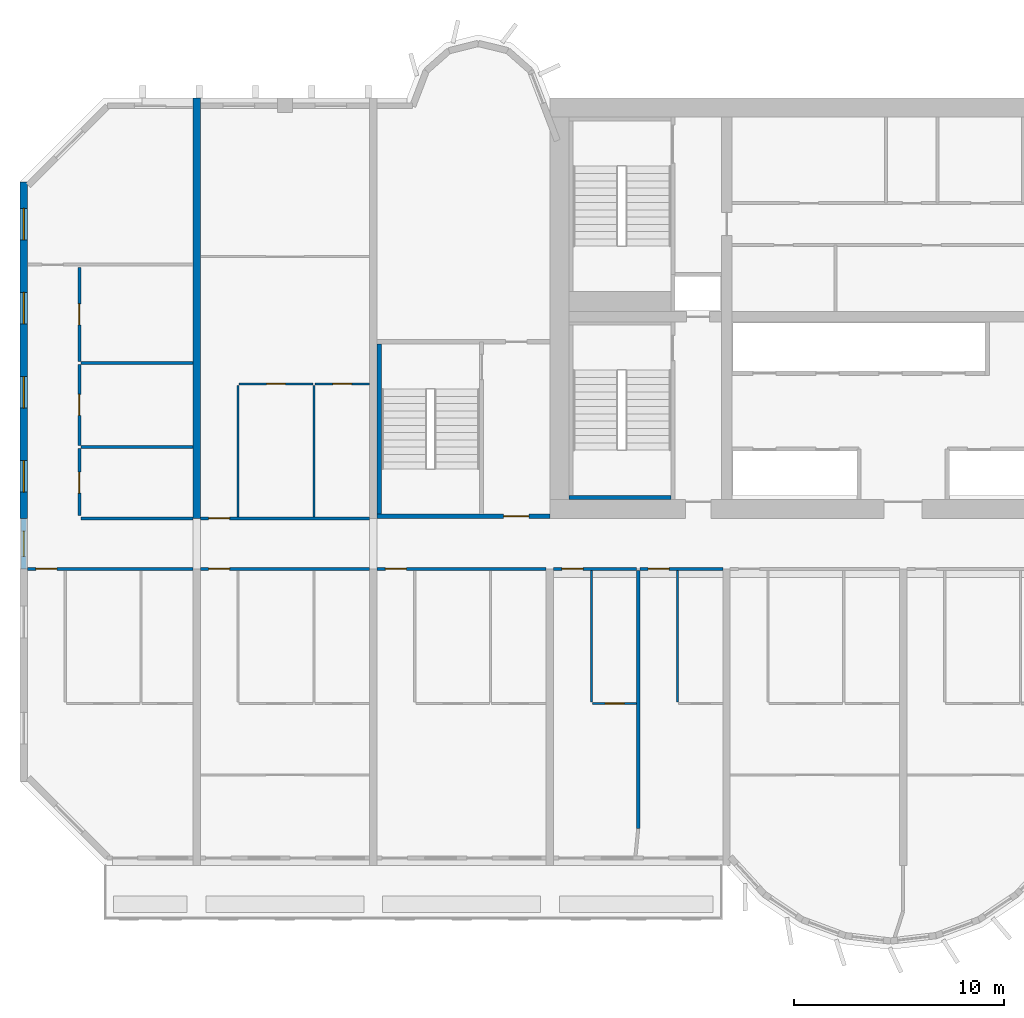
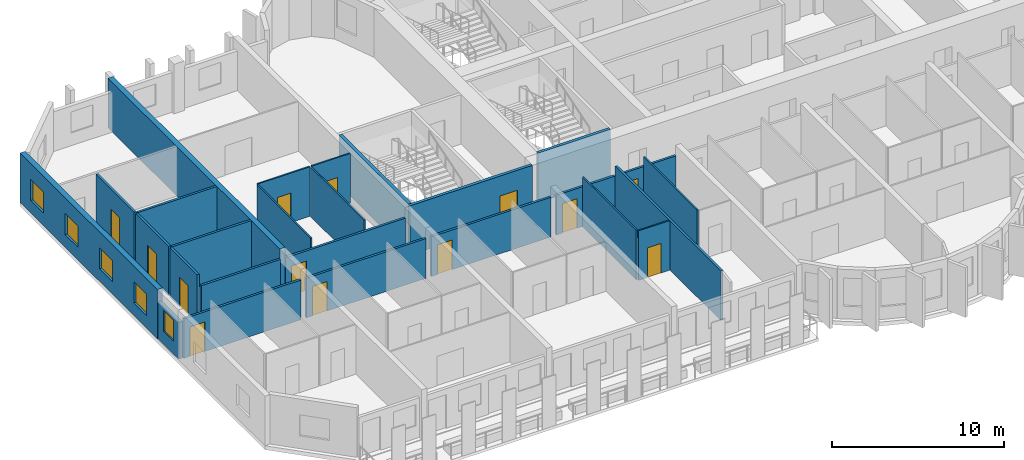
# One storey, part 3 of 15: 26 walls, 13 doors, 5 windows, 18 openings.
"""IFC4 building model written with IfcOpenShell, lengths in metres."""

from ifc_helpers import new_model, si_unit, direction, frame, frame_2d, origin, place, context, subcontext, project, spatial, rectangle, extrude, source, transform, mapped, material, layer, layer_set, type_object, element, fill, save


model = new_model("IFC4")

# Units and contexts
model_context = context("Model", 3, precision=1e-05, world=origin(), true_north=direction((0.0, 1.0)))
body_context = subcontext(model_context, "Body", "Model", "MODEL_VIEW")
ifc_project = project(units=[si_unit("LENGTHUNIT", "METRE"), si_unit("AREAUNIT", "SQUARE_METRE"), si_unit("VOLUMEUNIT", "CUBIC_METRE"), si_unit("PLANEANGLEUNIT", "RADIAN"), si_unit("MASSUNIT", "GRAM", prefix="KILO")], contexts=[model_context])

# Site, building, storey
site_placement = place(None, origin())
site = spatial("IfcSite", under=ifc_project, at=site_placement, CompositionType="ELEMENT")
building_placement = place(site_placement, origin())
building = spatial("IfcBuilding", under=site, at=building_placement, Name="Vanashikhar Sky Hotel", CompositionType="ELEMENT")
storey_placement = place(building_placement, frame((0.0, 0.0, 133.199951171875)))
storey = spatial("IfcBuildingStorey", under=building, at=storey_placement, Name="L32", CompositionType="ELEMENT", Elevation=133.199951171875)

# Wall, openings, windows
ifc_material_1 = material(Name="Concrete M70", Category="concrete")
ifc_layer_1 = layer(ifc_material_1, 0.35009765625)
ifc_layer_set_1 = layer_set([ifc_layer_1], Name="RC shear wall 350 Concrete M70")
wall_type_1 = type_object("IfcWallType", Name="RC shear wall 350 Concrete M70", PredefinedType="SHEAR", material=ifc_layer_set_1)
shared_shape_1 = source(origin(), body_context, "Body", "SweptSolid", [
    extrude(rectangle(XDim=16.0, YDim=0.35009765625, at=frame_2d((8.0, 0.0))), origin(), (0.0, 0.0, 1.0), 3.52001953125),
])
wall_1_placement = place(storey_placement, frame((0.175048828125, 22.0, 0.0), z_axis=(0.0, 0.0, 1.0), x_axis=(0.0, 1.0, 0.0)))
wall_1 = element("IfcWall", 1, at=wall_1_placement, inside=storey, type_object=wall_type_1, Name="CW-L32-XW01-2", PredefinedType="SHEAR", context=body_context, shape_type="MappedRepresentation", body=[
    mapped(shared_shape_1, transform((0.0, 0.0, 0.0), scale=1.0)),
])
shared_shape_2 = source(origin(), body_context, "Body", "SweptSolid", [
    extrude(rectangle(XDim=1.5, YDim=1.5, at=frame_2d((0.75, 0.75))), frame((0.0, 0.18505859375, 0.0), z_axis=(0.0, -1.0, 0.0), x_axis=(1.0, 0.0, 0.0)), (0.0, 0.0, 1.0), 0.3701171875),
])
opening_1_placement = place(wall_1_placement, frame((1.25, 0.0, 0.89990234375)))
opening_1 = element("IfcOpeningElement", 2, at=opening_1_placement, cuts=wall_1, Name="Opening WN-1", PredefinedType="OPENING", context=body_context, shape_type="MappedRepresentation", body=[
    mapped(shared_shape_2, transform((0.0, 0.0, 0.0), scale=1.0)),
])
opening_2_placement = place(wall_1_placement, frame((5.25, 0.0, 0.89990234375)))
opening_2 = element("IfcOpeningElement", 3, at=opening_2_placement, cuts=wall_1, Name="Opening WN-1", PredefinedType="OPENING", context=body_context, shape_type="MappedRepresentation", body=[
    mapped(shared_shape_2, transform((0.0, 0.0, 0.0), scale=1.0)),
])
opening_3_placement = place(wall_1_placement, frame((9.25, 0.0, 0.89990234375)))
opening_3 = element("IfcOpeningElement", 4, at=opening_3_placement, cuts=wall_1, Name="Opening WN-1", PredefinedType="OPENING", context=body_context, shape_type="MappedRepresentation", body=[
    mapped(shared_shape_2, transform((0.0, 0.0, 0.0), scale=1.0)),
])
opening_4_placement = place(wall_1_placement, frame((13.25, 0.0, 0.89990234375)))
opening_4 = element("IfcOpeningElement", 5, at=opening_4_placement, cuts=wall_1, Name="Opening WN-1", PredefinedType="OPENING", context=body_context, shape_type="MappedRepresentation", body=[
    mapped(shared_shape_2, transform((0.0, 0.0, 0.0), scale=1.0)),
])
ifc_material_2 = material(Name="Glass", Category="glass")
window_type_1 = type_object("IfcWindowType", Name="Window 1500 x 1500", PartitioningType="SINGLE_PANEL", PredefinedType="WINDOW", material=ifc_material_2)
shared_shape_3 = source(origin(), body_context, "Body", "SweptSolid", [
    extrude(rectangle(XDim=1.5, YDim=1.5, at=frame_2d((0.75, 0.75))), frame((0.0, 0.030029296875, 0.0), z_axis=(0.0, -1.0, 0.0), x_axis=(1.0, 0.0, 0.0)), (0.0, 0.0, 1.0), 0.06005859375),
])
window_1_placement = place(opening_1_placement, origin())
window_1 = element("IfcWindow", 6, at=window_1_placement, inside=storey, type_object=window_type_1, Name="Window WN-1", OverallHeight=1.5, OverallWidth=1.5, PartitioningType="SINGLE_PANEL", PredefinedType="WINDOW", context=body_context, shape_type="MappedRepresentation", body=[
    mapped(shared_shape_3, transform((0.0, 0.0, 0.0), scale=1.0)),
])
fill(opening_1, window_1)
window_2_placement = place(opening_2_placement, origin())
window_2 = element("IfcWindow", 7, at=window_2_placement, inside=storey, type_object=window_type_1, Name="Window WN-1", OverallHeight=1.5, OverallWidth=1.5, PartitioningType="SINGLE_PANEL", PredefinedType="WINDOW", context=body_context, shape_type="MappedRepresentation", body=[
    mapped(shared_shape_3, transform((0.0, 0.0, 0.0), scale=1.0)),
])
fill(opening_2, window_2)
window_3_placement = place(opening_3_placement, origin())
window_3 = element("IfcWindow", 8, at=window_3_placement, inside=storey, type_object=window_type_1, Name="Window WN-1", OverallHeight=1.5, OverallWidth=1.5, PartitioningType="SINGLE_PANEL", PredefinedType="WINDOW", context=body_context, shape_type="MappedRepresentation", body=[
    mapped(shared_shape_3, transform((0.0, 0.0, 0.0), scale=1.0)),
])
fill(opening_3, window_3)
window_4_placement = place(opening_4_placement, origin())
window_4 = element("IfcWindow", 9, at=window_4_placement, inside=storey, type_object=window_type_1, Name="Window WN-1", OverallHeight=1.5, OverallWidth=1.5, PartitioningType="SINGLE_PANEL", PredefinedType="WINDOW", context=body_context, shape_type="MappedRepresentation", body=[
    mapped(shared_shape_3, transform((0.0, 0.0, 0.0), scale=1.0)),
])
fill(opening_4, window_4)

# Wall
shared_shape_4 = source(origin(), body_context, "Body", "SweptSolid", [
    extrude(rectangle(XDim=20.0, YDim=0.35009765625, at=frame_2d((10.0, 0.0))), origin(), (0.0, 0.0, 1.0), 3.52001953125),
])
wall_2_placement = place(storey_placement, frame((8.39990234375, 22.0, 0.0), z_axis=(0.0, 0.0, 1.0), x_axis=(0.0, 1.0, 0.0)))
element("IfcWall", 10, at=wall_2_placement, inside=storey, type_object=wall_type_1, Name="CW-L32-XW02-2", PredefinedType="SHEAR", context=body_context, shape_type="MappedRepresentation", body=[
    mapped(shared_shape_4, transform((0.0, 0.0, 0.0), scale=1.0)),
])

# Wall, opening, window
ifc_material_3 = material(Name="Concrete M50", Category="concrete")
ifc_layer_2 = layer(ifc_material_3, 0.25)
ifc_layer_set_2 = layer_set([ifc_layer_2], Name="Rear and end board-marked wall 250")
wall_type_2 = type_object("IfcWallType", Name="Rear and end board-marked wall 250", PredefinedType="SOLIDWALL", material=ifc_layer_set_2)
shared_shape_5 = source(origin(), body_context, "Body", "SweptSolid", [
    extrude(rectangle(XDim=2.39990234375, YDim=0.25, at=frame_2d((1.199951171875, 0.0))), origin(), (0.0, 0.0, 1.0), 2.6201171875),
])
wall_3_placement = place(storey_placement, frame((0.175048828125, 19.60009765625, 0.0), z_axis=(0.0, 0.0, 1.0), x_axis=(0.0, 1.0, 0.0)))
wall_3 = element("IfcWall", 11, at=wall_3_placement, inside=storey, type_object=wall_type_2, Name="End corridor infill wall", PredefinedType="SOLIDWALL", context=body_context, shape_type="MappedRepresentation", body=[
    mapped(shared_shape_5, transform((0.0, 0.0, 0.0), scale=1.0)),
])
shared_shape_6 = source(origin(), body_context, "Body", "SweptSolid", [
    extrude(rectangle(XDim=1.199951171875, YDim=1.5, at=frame_2d((0.60009765625, 0.75))), frame((0.0, 0.135009765625, 0.0), z_axis=(0.0, -1.0, 0.0), x_axis=(1.0, 0.0, 0.0)), (0.0, 0.0, 1.0), 0.27001953125),
])
opening_5_placement = place(wall_3_placement, frame((0.60009765625, 0.0, 0.89990234375)))
opening_5 = element("IfcOpeningElement", 12, at=opening_5_placement, cuts=wall_3, Name="Opening WN-3", PredefinedType="OPENING", context=body_context, shape_type="MappedRepresentation", body=[
    mapped(shared_shape_6, transform((0.0, 0.0, 0.0), scale=1.0)),
])
window_type_2 = type_object("IfcWindowType", Name="Corridor end window 1200 x 1500", PartitioningType="SINGLE_PANEL", PredefinedType="WINDOW", material=ifc_material_2)
shared_shape_7 = source(origin(), body_context, "Body", "SweptSolid", [
    extrude(rectangle(XDim=1.199951171875, YDim=1.5, at=frame_2d((0.60009765625, 0.75))), frame((0.0, 0.030029296875, 0.0), z_axis=(0.0, -1.0, 0.0), x_axis=(1.0, 0.0, 0.0)), (0.0, 0.0, 1.0), 0.06005859375),
])
window_5_placement = place(opening_5_placement, origin())
window_5 = element("IfcWindow", 13, at=window_5_placement, inside=storey, type_object=window_type_2, Name="Window WN-3", OverallHeight=1.5, OverallWidth=1.199951171875, PartitioningType="SINGLE_PANEL", PredefinedType="WINDOW", context=body_context, shape_type="MappedRepresentation", body=[
    mapped(shared_shape_7, transform((0.0, 0.0, 0.0), scale=1.0)),
])
fill(opening_5, window_5)

# Wall, opening, door
ifc_layer_3 = layer(ifc_material_3, 0.199951171875)
ifc_layer_set_3 = layer_set([ifc_layer_3], Name="Stair wall 200")
wall_type_3 = type_object("IfcWallType", Name="Stair wall 200", PredefinedType="SOLIDWALL", material=ifc_layer_set_3)
shared_shape_8 = source(origin(), body_context, "Body", "SweptSolid", [
    extrude(rectangle(XDim=8.224853515625, YDim=0.199951171875, at=frame_2d((4.1123046875, 0.0))), origin(), (0.0, 0.0, 1.0), 3.52001953125),
])
wall_4_placement = place(storey_placement, frame((16.97509765625, 22.10009765625, 0.0), z_axis=(0.0, 0.0, 1.0), x_axis=(1.0, 0.0, 0.0)))
wall_4 = element("IfcWall", 14, at=wall_4_placement, inside=storey, type_object=wall_type_3, Name="Stair wall 200", PredefinedType="SOLIDWALL", context=body_context, shape_type="MappedRepresentation", body=[
    mapped(shared_shape_8, transform((0.0, 0.0, 0.0), scale=1.0)),
])
shared_shape_9 = source(origin(), body_context, "Body", "SweptSolid", [
    extrude(rectangle(XDim=1.199951171875, YDim=2.10009765625, at=frame_2d((0.60009765625, 1.050048828125))), frame((0.0, 0.10986328125, 0.0), z_axis=(0.0, -1.0, 0.0), x_axis=(1.0, 0.0, 0.0)), (0.0, 0.0, 1.0), 0.219970703125),
])
opening_6_placement = place(wall_4_placement, frame((6.02490234375, 0.0, 0.0)))
opening_6 = element("IfcOpeningElement", 15, at=opening_6_placement, cuts=wall_4, Name="Opening DC-2", PredefinedType="OPENING", context=body_context, shape_type="MappedRepresentation", body=[
    mapped(shared_shape_9, transform((0.0, 0.0, 0.0), scale=1.0)),
])
ifc_material_4 = material(Name="Steel", Category="steel")
door_type_1 = type_object("IfcDoorType", Name="Firefighting lobby door 1200 FD120", OperationType="NOTDEFINED", PredefinedType="DOOR", material=ifc_material_4)
shared_shape_10 = source(origin(), body_context, "Body", "SweptSolid", [
    extrude(rectangle(XDim=1.199951171875, YDim=2.10009765625, at=frame_2d((0.60009765625, 1.050048828125))), frame((0.0, 0.02490234375, 0.0), z_axis=(0.0, -1.0, 0.0), x_axis=(1.0, 0.0, 0.0)), (0.0, 0.0, 1.0), 0.050048828125),
])
door_1_placement = place(opening_6_placement, origin())
door_1 = element("IfcDoor", 16, at=door_1_placement, inside=storey, type_object=door_type_1, Name="Firefighting lobby door 1200 FD120", OperationType="SINGLE_SWING_LEFT", OverallHeight=2.10009765625, OverallWidth=1.199951171875, PredefinedType="DOOR", context=body_context, shape_type="MappedRepresentation", body=[
    mapped(shared_shape_10, transform((0.0, 0.0, 0.0), scale=1.0)),
])
fill(opening_6, door_1)

# Walls
ifc_layer_4 = layer(ifc_material_3, 0.199951171875)
ifc_layer_set_4 = layer_set([ifc_layer_4], Name="Stair infill wall 200")
wall_type_4 = type_object("IfcWallType", Name="Stair infill wall 200", PredefinedType="SOLIDWALL", material=ifc_layer_set_4)
shared_shape_11 = source(origin(), body_context, "Body", "SweptSolid", [
    extrude(rectangle(XDim=4.849853515625, YDim=0.199951171875, at=frame_2d((2.4248046875, 0.0))), origin(), (0.0, 0.0, 1.0), 3.52001953125),
])
wall_5_placement = place(storey_placement, frame((26.10009765625, 23.0, 0.0), z_axis=(0.0, 0.0, 1.0), x_axis=(1.0, 0.0, 0.0)))
element("IfcWall", 17, at=wall_5_placement, inside=storey, type_object=wall_type_4, Name="Stair infill wall 200", PredefinedType="SOLIDWALL", context=body_context, shape_type="MappedRepresentation", body=[
    mapped(shared_shape_11, transform((0.0, 0.0, 0.0), scale=1.0)),
])
ifc_layer_5 = layer(ifc_material_3, 0.22509765625)
ifc_layer_set_5 = layer_set([ifc_layer_5], Name="Stair infill wall 225")
wall_type_5 = type_object("IfcWallType", Name="Stair infill wall 225", PredefinedType="SOLIDWALL", material=ifc_layer_set_5)
shared_shape_12 = source(origin(), body_context, "Body", "SweptSolid", [
    extrude(rectangle(XDim=8.10009765625, YDim=0.22509765625, at=frame_2d((4.050048828125, 0.0))), origin(), (0.0, 0.0, 1.0), 3.52001953125),
])
wall_6_placement = place(storey_placement, frame((17.0869140625, 22.199951171875, 0.0), z_axis=(0.0, 0.0, 1.0), x_axis=(0.0, 1.0, 0.0)))
element("IfcWall", 18, at=wall_6_placement, inside=storey, type_object=wall_type_5, Name="Stair infill wall 225", PredefinedType="SOLIDWALL", context=body_context, shape_type="MappedRepresentation", body=[
    mapped(shared_shape_12, transform((0.0, 0.0, 0.0), scale=1.0)),
])

# Wall, opening, door
ifc_material_5 = material(Name="Gypsum plasterboard partition")
ifc_layer_6 = layer(ifc_material_5, 0.10009765625)
ifc_layer_set_6 = layer_set([ifc_layer_6], Name="Wet room partition 100")
wall_type_6 = type_object("IfcWallType", Name="Wet room partition 100", PredefinedType="PARTITIONING", material=ifc_layer_set_6)
shared_shape_13 = source(origin(), body_context, "Body", "SweptSolid", [
    extrude(rectangle(XDim=3.5, YDim=0.10009765625, at=frame_2d((1.75, 0.0))), origin(), (0.0, 0.0, 1.0), 3.52001953125),
])
wall_7_placement = place(storey_placement, frame((10.425048828125, 28.39990234375, 0.0), z_axis=(0.0, 0.0, 1.0), x_axis=(1.0, 0.0, 0.0)))
wall_7 = element("IfcWall", 19, at=wall_7_placement, inside=storey, type_object=wall_type_6, Name="W-L32-PW081", PredefinedType="PARTITIONING", context=body_context, shape_type="MappedRepresentation", body=[
    mapped(shared_shape_13, transform((0.0, 0.0, 0.0), scale=1.0)),
])
shared_shape_14 = source(origin(), body_context, "Body", "SweptSolid", [
    extrude(rectangle(XDim=0.89990234375, YDim=2.10009765625, at=frame_2d((0.449951171875, 1.050048828125))), frame((0.0, 0.06005859375, 0.0), z_axis=(0.0, -1.0, 0.0), x_axis=(1.0, 0.0, 0.0)), (0.0, 0.0, 1.0), 0.1201171875),
])
opening_7_placement = place(wall_7_placement, frame((1.300048828125, 0.0, 0.0)))
opening_7 = element("IfcOpeningElement", 20, at=opening_7_placement, cuts=wall_7, Name="Opening D-02", PredefinedType="OPENING", context=body_context, shape_type="MappedRepresentation", body=[
    mapped(shared_shape_14, transform((0.0, 0.0, 0.0), scale=1.0)),
])
ifc_material_6 = material(Name="Timber door", Category="wood")
door_type_2 = type_object("IfcDoorType", Name="Internal door 900", OperationType="NOTDEFINED", PredefinedType="DOOR", material=ifc_material_6)
shared_shape_15 = source(origin(), body_context, "Body", "SweptSolid", [
    extrude(rectangle(XDim=0.89990234375, YDim=2.10009765625, at=frame_2d((0.449951171875, 1.050048828125))), frame((0.0, 0.02490234375, 0.0), z_axis=(0.0, -1.0, 0.0), x_axis=(1.0, 0.0, 0.0)), (0.0, 0.0, 1.0), 0.050048828125),
])
door_2_placement = place(opening_7_placement, origin())
door_2 = element("IfcDoor", 21, at=door_2_placement, inside=storey, type_object=door_type_2, Name="D-L32-049", OperationType="SINGLE_SWING_LEFT", OverallHeight=2.10009765625, OverallWidth=0.89990234375, PredefinedType="DOOR", context=body_context, shape_type="MappedRepresentation", body=[
    mapped(shared_shape_15, transform((0.0, 0.0, 0.0), scale=1.0)),
])
fill(opening_7, door_2)

# Walls
shared_shape_16 = source(origin(), body_context, "Body", "SweptSolid", [
    extrude(rectangle(XDim=6.25, YDim=0.10009765625, at=frame_2d((3.125, 0.0))), origin(), (0.0, 0.0, 1.0), 3.52001953125),
])
for number, where, z_axis, x_axis, name in (
    (22, (27.175048828125, 13.27490234375, 0.0), (0.0, 0.0, 1.0), (0.0, 1.0, 0.0), "W-L32-PW017"),
    (23, (31.27490234375, 13.27490234375, 0.0), (0.0, 0.0, 1.0), (0.0, 1.0, 0.0), "W-L32-PW020"),
    (24, (10.375, 22.074951171875, 0.0), (0.0, 0.0, 1.0), (0.0, 1.0, 0.0), "W-L32-PW079"),
    (25, (13.97509765625, 22.074951171875, 0.0), (0.0, 0.0, 1.0), (0.0, 1.0, 0.0), "W-L32-PW080"),
):
    element("IfcWall", number, at=place(storey_placement, frame(where, z_axis=z_axis, x_axis=x_axis)), inside=storey, type_object=wall_type_6, Name=name, PredefinedType="PARTITIONING", context=body_context, shape_type="MappedRepresentation", body=[
        mapped(shared_shape_16, transform((0.0, 0.0, 0.0), scale=1.0)),
    ])

# Wall, opening, door
ifc_layer_7 = layer(ifc_material_5, 0.14990234375)
ifc_layer_set_7 = layer_set([ifc_layer_7], Name="Corridor and demising partition 150")
wall_type_7 = type_object("IfcWallType", Name="Corridor and demising partition 150", PredefinedType="PARTITIONING", material=ifc_layer_set_7)
shared_shape_17 = source(origin(), body_context, "Body", "SweptSolid", [
    extrude(rectangle(XDim=3.175048828125, YDim=0.14990234375, at=frame_2d((1.58740234375, 0.0))), origin(), (0.0, 0.0, 1.0), 3.52001953125),
])
wall_8_placement = place(storey_placement, frame((2.824951171875, 22.14990234375, 0.0), z_axis=(0.0, 0.0, 1.0), x_axis=(0.0, 1.0, 0.0)))
wall_8 = element("IfcWall", 26, at=wall_8_placement, inside=storey, type_object=wall_type_7, Name="W-L32-PW073", PredefinedType="PARTITIONING", context=body_context, shape_type="MappedRepresentation", body=[
    mapped(shared_shape_17, transform((0.0, 0.0, 0.0), scale=1.0)),
])
shared_shape_18 = source(origin(), body_context, "Body", "SweptSolid", [
    extrude(rectangle(XDim=1.0, YDim=2.10009765625, at=frame_2d((0.5, 1.050048828125))), frame((0.0, 0.0849609375, 0.0), z_axis=(0.0, -1.0, 0.0), x_axis=(1.0, 0.0, 0.0)), (0.0, 0.0, 1.0), 0.169921875),
])
opening_8_placement = place(wall_8_placement, frame((1.050048828125, 0.0, 0.0)))
opening_8 = element("IfcOpeningElement", 27, at=opening_8_placement, cuts=wall_8, Name="Opening D-01", PredefinedType="OPENING", context=body_context, shape_type="MappedRepresentation", body=[
    mapped(shared_shape_18, transform((0.0, 0.0, 0.0), scale=1.0)),
])
ifc_material_7 = material(Name="Timber fire door", Category="wood")
door_type_3 = type_object("IfcDoorType", Name="Guest entry door 1000 FD30S", OperationType="NOTDEFINED", PredefinedType="DOOR", material=ifc_material_7)
shared_shape_19 = source(origin(), body_context, "Body", "SweptSolid", [
    extrude(rectangle(XDim=1.0, YDim=2.10009765625, at=frame_2d((0.5, 1.050048828125))), frame((0.0, 0.02490234375, 0.0), z_axis=(0.0, -1.0, 0.0), x_axis=(1.0, 0.0, 0.0)), (0.0, 0.0, 1.0), 0.050048828125),
])
door_3_placement = place(opening_8_placement, origin())
door_3 = element("IfcDoor", 28, at=door_3_placement, inside=storey, type_object=door_type_3, Name="D-L32-045", OperationType="SINGLE_SWING_LEFT", OverallHeight=2.10009765625, OverallWidth=1.0, PredefinedType="DOOR", context=body_context, shape_type="MappedRepresentation", body=[
    mapped(shared_shape_19, transform((0.0, 0.0, 0.0), scale=1.0)),
])
fill(opening_8, door_3)

shared_shape_20 = source(origin(), body_context, "Body", "SweptSolid", [
    extrude(rectangle(XDim=3.849853515625, YDim=0.14990234375, at=frame_2d((1.9248046875, 0.0))), origin(), (0.0, 0.0, 1.0), 3.52001953125),
])
wall_9_placement = place(storey_placement, frame((2.824951171875, 25.47509765625, 0.0), z_axis=(0.0, 0.0, 1.0), x_axis=(0.0, 1.0, 0.0)))
wall_9 = element("IfcWall", 29, at=wall_9_placement, inside=storey, type_object=wall_type_7, Name="W-L32-PW075", PredefinedType="PARTITIONING", context=body_context, shape_type="MappedRepresentation", body=[
    mapped(shared_shape_20, transform((0.0, 0.0, 0.0), scale=1.0)),
])
opening_9_placement = place(wall_9_placement, frame((1.425048828125, 0.0, 0.0)))
opening_9 = element("IfcOpeningElement", 30, at=opening_9_placement, cuts=wall_9, Name="Opening D-01", PredefinedType="OPENING", context=body_context, shape_type="MappedRepresentation", body=[
    mapped(shared_shape_18, transform((0.0, 0.0, 0.0), scale=1.0)),
])
door_4_placement = place(opening_9_placement, origin())
door_4 = element("IfcDoor", 31, at=door_4_placement, inside=storey, type_object=door_type_3, Name="D-L32-046", OperationType="SINGLE_SWING_LEFT", OverallHeight=2.10009765625, OverallWidth=1.0, PredefinedType="DOOR", context=body_context, shape_type="MappedRepresentation", body=[
    mapped(shared_shape_19, transform((0.0, 0.0, 0.0), scale=1.0)),
])
fill(opening_9, door_4)

shared_shape_21 = source(origin(), body_context, "Body", "SweptSolid", [
    extrude(rectangle(XDim=4.449951171875, YDim=0.14990234375, at=frame_2d((2.22509765625, 0.0))), origin(), (0.0, 0.0, 1.0), 3.52001953125),
])
wall_10_placement = place(storey_placement, frame((2.824951171875, 29.47509765625, 0.0), z_axis=(0.0, 0.0, 1.0), x_axis=(0.0, 1.0, 0.0)))
wall_10 = element("IfcWall", 32, at=wall_10_placement, inside=storey, type_object=wall_type_7, Name="W-L32-PW077", PredefinedType="PARTITIONING", context=body_context, shape_type="MappedRepresentation", body=[
    mapped(shared_shape_21, transform((0.0, 0.0, 0.0), scale=1.0)),
])
opening_10_placement = place(wall_10_placement, frame((1.72509765625, 0.0, 0.0)))
opening_10 = element("IfcOpeningElement", 33, at=opening_10_placement, cuts=wall_10, Name="Opening D-01", PredefinedType="OPENING", context=body_context, shape_type="MappedRepresentation", body=[
    mapped(shared_shape_18, transform((0.0, 0.0, 0.0), scale=1.0)),
])
door_5_placement = place(opening_10_placement, origin())
door_5 = element("IfcDoor", 34, at=door_5_placement, inside=storey, type_object=door_type_3, Name="D-L32-047", OperationType="SINGLE_SWING_LEFT", OverallHeight=2.10009765625, OverallWidth=1.0, PredefinedType="DOOR", context=body_context, shape_type="MappedRepresentation", body=[
    mapped(shared_shape_19, transform((0.0, 0.0, 0.0), scale=1.0)),
])
fill(opening_10, door_5)

shared_shape_22 = source(origin(), body_context, "Body", "SweptSolid", [
    extrude(rectangle(XDim=2.60009765625, YDim=0.10009765625, at=frame_2d((1.300048828125, 0.0))), origin(), (0.0, 0.0, 1.0), 3.52001953125),
])
wall_11_placement = place(storey_placement, frame((14.02490234375, 28.39990234375, 0.0), z_axis=(0.0, 0.0, 1.0), x_axis=(1.0, 0.0, 0.0)))
wall_11 = element("IfcWall", 35, at=wall_11_placement, inside=storey, type_object=wall_type_6, Name="W-L32-PW082", PredefinedType="PARTITIONING", context=body_context, shape_type="MappedRepresentation", body=[
    mapped(shared_shape_22, transform((0.0, 0.0, 0.0), scale=1.0)),
])
opening_11_placement = place(wall_11_placement, frame((0.85009765625, 0.0, 0.0)))
opening_11 = element("IfcOpeningElement", 36, at=opening_11_placement, cuts=wall_11, Name="Opening D-02", PredefinedType="OPENING", context=body_context, shape_type="MappedRepresentation", body=[
    mapped(shared_shape_14, transform((0.0, 0.0, 0.0), scale=1.0)),
])
door_6_placement = place(opening_11_placement, origin())
door_6 = element("IfcDoor", 37, at=door_6_placement, inside=storey, type_object=door_type_2, Name="D-L32-050", OperationType="SINGLE_SWING_LEFT", OverallHeight=2.10009765625, OverallWidth=0.89990234375, PredefinedType="DOOR", context=body_context, shape_type="MappedRepresentation", body=[
    mapped(shared_shape_15, transform((0.0, 0.0, 0.0), scale=1.0)),
])
fill(opening_11, door_6)

shared_shape_23 = source(origin(), body_context, "Body", "SweptSolid", [
    extrude(rectangle(XDim=8.050048828125, YDim=0.14990234375, at=frame_2d((4.02490234375, 0.0))), origin(), (0.0, 0.0, 1.0), 2.820068359375),
])
wall_12_placement = place(storey_placement, frame((8.574951171875, 19.60009765625, 0.0), z_axis=(0.0, 0.0, 1.0), x_axis=(1.0, 0.0, 0.0)))
wall_12 = element("IfcWall", 38, at=wall_12_placement, inside=storey, type_object=wall_type_7, Name="W-L32-PW011", PredefinedType="PARTITIONING", context=body_context, shape_type="MappedRepresentation", body=[
    mapped(shared_shape_23, transform((0.0, 0.0, 0.0), scale=1.0)),
])
opening_12_placement = place(wall_12_placement, frame((0.39990234375, 0.0, 0.0)))
opening_12 = element("IfcOpeningElement", 39, at=opening_12_placement, cuts=wall_12, Name="Opening D-01", PredefinedType="OPENING", context=body_context, shape_type="MappedRepresentation", body=[
    mapped(shared_shape_18, transform((0.0, 0.0, 0.0), scale=1.0)),
])
door_7_placement = place(opening_12_placement, origin())
door_7 = element("IfcDoor", 40, at=door_7_placement, inside=storey, type_object=door_type_3, Name="D-L32-007", OperationType="SINGLE_SWING_LEFT", OverallHeight=2.10009765625, OverallWidth=1.0, PredefinedType="DOOR", context=body_context, shape_type="MappedRepresentation", body=[
    mapped(shared_shape_19, transform((0.0, 0.0, 0.0), scale=1.0)),
])
fill(opening_12, door_7)

wall_13_placement = place(storey_placement, frame((8.574951171875, 22.0, 0.0), z_axis=(0.0, 0.0, 1.0), x_axis=(1.0, 0.0, 0.0)))
wall_13 = element("IfcWall", 41, at=wall_13_placement, inside=storey, type_object=wall_type_7, Name="W-L32-PW084", PredefinedType="PARTITIONING", context=body_context, shape_type="MappedRepresentation", body=[
    mapped(shared_shape_23, transform((0.0, 0.0, 0.0), scale=1.0)),
])
opening_13_placement = place(wall_13_placement, frame((0.39990234375, 0.0, 0.0)))
opening_13 = element("IfcOpeningElement", 42, at=opening_13_placement, cuts=wall_13, Name="Opening D-01", PredefinedType="OPENING", context=body_context, shape_type="MappedRepresentation", body=[
    mapped(shared_shape_18, transform((0.0, 0.0, 0.0), scale=1.0)),
])
door_8_placement = place(opening_13_placement, origin())
door_8 = element("IfcDoor", 43, at=door_8_placement, inside=storey, type_object=door_type_3, Name="D-L32-052", OperationType="SINGLE_SWING_LEFT", OverallHeight=2.10009765625, OverallWidth=1.0, PredefinedType="DOOR", context=body_context, shape_type="MappedRepresentation", body=[
    mapped(shared_shape_19, transform((0.0, 0.0, 0.0), scale=1.0)),
])
fill(opening_13, door_8)

shared_shape_24 = source(origin(), body_context, "Body", "SweptSolid", [
    extrude(rectangle(XDim=8.0498046875, YDim=0.14990234375, at=frame_2d((4.02490234375, 0.0))), origin(), (0.0, 0.0, 1.0), 2.820068359375),
])
wall_14_placement = place(storey_placement, frame((16.97509765625, 19.60009765625, 0.0), z_axis=(0.0, 0.0, 1.0), x_axis=(1.0, 0.0, 0.0)))
wall_14 = element("IfcWall", 44, at=wall_14_placement, inside=storey, type_object=wall_type_7, Name="W-L32-PW016", PredefinedType="PARTITIONING", context=body_context, shape_type="MappedRepresentation", body=[
    mapped(shared_shape_24, transform((0.0, 0.0, 0.0), scale=1.0)),
])
opening_14_placement = place(wall_14_placement, frame((0.39990234375, 0.0, 0.0)))
opening_14 = element("IfcOpeningElement", 45, at=opening_14_placement, cuts=wall_14, Name="Opening D-01", PredefinedType="OPENING", context=body_context, shape_type="MappedRepresentation", body=[
    mapped(shared_shape_18, transform((0.0, 0.0, 0.0), scale=1.0)),
])
door_9_placement = place(opening_14_placement, origin())
door_9 = element("IfcDoor", 46, at=door_9_placement, inside=storey, type_object=door_type_3, Name="D-L32-010", OperationType="SINGLE_SWING_LEFT", OverallHeight=2.10009765625, OverallWidth=1.0, PredefinedType="DOOR", context=body_context, shape_type="MappedRepresentation", body=[
    mapped(shared_shape_19, transform((0.0, 0.0, 0.0), scale=1.0)),
])
fill(opening_14, door_9)

shared_shape_25 = source(origin(), body_context, "Body", "SweptSolid", [
    extrude(rectangle(XDim=3.949951171875, YDim=0.14990234375, at=frame_2d((1.97509765625, 0.0))), origin(), (0.0, 0.0, 1.0), 2.820068359375),
])
wall_15_placement = place(storey_placement, frame((25.375, 19.60009765625, 0.0), z_axis=(0.0, 0.0, 1.0), x_axis=(1.0, 0.0, 0.0)))
wall_15 = element("IfcWall", 47, at=wall_15_placement, inside=storey, type_object=wall_type_7, Name="W-L32-PW019", PredefinedType="PARTITIONING", context=body_context, shape_type="MappedRepresentation", body=[
    mapped(shared_shape_25, transform((0.0, 0.0, 0.0), scale=1.0)),
])
opening_15_placement = place(wall_15_placement, frame((0.39990234375, 0.0, 0.0)))
opening_15 = element("IfcOpeningElement", 48, at=opening_15_placement, cuts=wall_15, Name="Opening D-01", PredefinedType="OPENING", context=body_context, shape_type="MappedRepresentation", body=[
    mapped(shared_shape_18, transform((0.0, 0.0, 0.0), scale=1.0)),
])
door_10_placement = place(opening_15_placement, origin())
door_10 = element("IfcDoor", 49, at=door_10_placement, inside=storey, type_object=door_type_3, Name="D-L32-012", OperationType="SINGLE_SWING_LEFT", OverallHeight=2.10009765625, OverallWidth=1.0, PredefinedType="DOOR", context=body_context, shape_type="MappedRepresentation", body=[
    mapped(shared_shape_19, transform((0.0, 0.0, 0.0), scale=1.0)),
])
fill(opening_15, door_10)

wall_16_placement = place(storey_placement, frame((29.47509765625, 19.60009765625, 0.0), z_axis=(0.0, 0.0, 1.0), x_axis=(1.0, 0.0, 0.0)))
wall_16 = element("IfcWall", 50, at=wall_16_placement, inside=storey, type_object=wall_type_7, Name="W-L32-PW022", PredefinedType="PARTITIONING", context=body_context, shape_type="MappedRepresentation", body=[
    mapped(shared_shape_25, transform((0.0, 0.0, 0.0), scale=1.0)),
])
opening_16_placement = place(wall_16_placement, frame((0.39990234375, 0.0, 0.0)))
opening_16 = element("IfcOpeningElement", 51, at=opening_16_placement, cuts=wall_16, Name="Opening D-01", PredefinedType="OPENING", context=body_context, shape_type="MappedRepresentation", body=[
    mapped(shared_shape_18, transform((0.0, 0.0, 0.0), scale=1.0)),
])
door_11_placement = place(opening_16_placement, origin())
door_11 = element("IfcDoor", 52, at=door_11_placement, inside=storey, type_object=door_type_3, Name="D-L32-014", OperationType="SINGLE_SWING_LEFT", OverallHeight=2.10009765625, OverallWidth=1.0, PredefinedType="DOOR", context=body_context, shape_type="MappedRepresentation", body=[
    mapped(shared_shape_19, transform((0.0, 0.0, 0.0), scale=1.0)),
])
fill(opening_16, door_11)

shared_shape_26 = source(origin(), body_context, "Body", "SweptSolid", [
    extrude(rectangle(XDim=2.099853515625, YDim=0.10009765625, at=frame_2d((1.0498046875, 0.0))), origin(), (0.0, 0.0, 1.0), 3.52001953125),
])
wall_17_placement = place(storey_placement, frame((27.22509765625, 13.199951171875, 0.0), z_axis=(0.0, 0.0, 1.0), x_axis=(1.0, 0.0, 0.0)))
wall_17 = element("IfcWall", 53, at=wall_17_placement, inside=storey, type_object=wall_type_6, Name="W-L32-PW018", PredefinedType="PARTITIONING", context=body_context, shape_type="MappedRepresentation", body=[
    mapped(shared_shape_26, transform((0.0, 0.0, 0.0), scale=1.0)),
])
opening_17_placement = place(wall_17_placement, frame((0.60009765625, 0.0, 0.0)))
opening_17 = element("IfcOpeningElement", 54, at=opening_17_placement, cuts=wall_17, Name="Opening D-02", PredefinedType="OPENING", context=body_context, shape_type="MappedRepresentation", body=[
    mapped(shared_shape_14, transform((0.0, 0.0, 0.0), scale=1.0)),
])
door_12_placement = place(opening_17_placement, origin())
door_12 = element("IfcDoor", 55, at=door_12_placement, inside=storey, type_object=door_type_2, Name="D-L32-011", OperationType="SINGLE_SWING_LEFT", OverallHeight=2.10009765625, OverallWidth=0.89990234375, PredefinedType="DOOR", context=body_context, shape_type="MappedRepresentation", body=[
    mapped(shared_shape_15, transform((0.0, 0.0, 0.0), scale=1.0)),
])
fill(opening_17, door_12)

# Walls
shared_shape_27 = source(origin(), body_context, "Body", "SweptSolid", [
    extrude(rectangle(XDim=12.27490234375, YDim=0.14990234375, at=frame_2d((6.137451171875, 0.0))), origin(), (0.0, 0.0, 1.0), 3.52001953125),
])
wall_18_placement = place(storey_placement, frame((29.39990234375, 7.25, 0.0), z_axis=(0.0, 0.0, 1.0), x_axis=(0.0, 1.0, 0.0)))
element("IfcWall", 56, at=wall_18_placement, inside=storey, type_object=wall_type_7, Name="W-L32-PW023", PredefinedType="PARTITIONING", context=body_context, shape_type="MappedRepresentation", body=[
    mapped(shared_shape_27, transform((0.0, 0.0, 0.0), scale=1.0)),
])
shared_shape_28 = source(origin(), body_context, "Body", "SweptSolid", [
    extrude(rectangle(XDim=5.3251953125, YDim=0.14990234375, at=frame_2d((2.66259765625, 0.0))), origin(), (0.0, 0.0, 1.0), 2.820068359375),
])
wall_19_placement = place(storey_placement, frame((2.89990234375, 22.0, 0.0), z_axis=(0.0, 0.0, 1.0), x_axis=(1.0, 0.0, 0.0)))
element("IfcWall", 57, at=wall_19_placement, inside=storey, type_object=wall_type_7, Name="W-L32-PW072", PredefinedType="PARTITIONING", context=body_context, shape_type="MappedRepresentation", body=[
    mapped(shared_shape_28, transform((0.0, 0.0, 0.0), scale=1.0)),
])
shared_shape_29 = source(origin(), body_context, "Body", "SweptSolid", [
    extrude(rectangle(XDim=5.3251953125, YDim=0.14990234375, at=frame_2d((2.66259765625, 0.0))), origin(), (0.0, 0.0, 1.0), 3.52001953125),
])
for number, where, z_axis, x_axis, name in (
    (58, (2.89990234375, 25.39990234375, 0.0), (0.0, 0.0, 1.0), (1.0, 0.0, 0.0), "W-L32-PW074"),
    (59, (2.89990234375, 29.39990234375, 0.0), (0.0, 0.0, 1.0), (1.0, 0.0, 0.0), "W-L32-PW076"),
):
    element("IfcWall", number, at=place(storey_placement, frame(where, z_axis=z_axis, x_axis=x_axis)), inside=storey, type_object=wall_type_7, Name=name, PredefinedType="PARTITIONING", context=body_context, shape_type="MappedRepresentation", body=[
        mapped(shared_shape_29, transform((0.0, 0.0, 0.0), scale=1.0)),
    ])

# Wall, opening, door
shared_shape_30 = source(origin(), body_context, "Body", "SweptSolid", [
    extrude(rectangle(XDim=7.875, YDim=0.14990234375, at=frame_2d((3.9375, 0.0))), origin(), (0.0, 0.0, 1.0), 2.820068359375),
])
wall_20_placement = place(storey_placement, frame((0.35009765625, 19.60009765625, 0.0), z_axis=(0.0, 0.0, 1.0), x_axis=(1.0, 0.0, 0.0)))
wall_20 = element("IfcWall", 60, at=wall_20_placement, inside=storey, type_object=wall_type_7, Name="W-L32-PW005", PredefinedType="PARTITIONING", context=body_context, shape_type="MappedRepresentation", body=[
    mapped(shared_shape_30, transform((0.0, 0.0, 0.0), scale=1.0)),
])
opening_18_placement = place(wall_20_placement, frame((0.39990234375, 0.0, 0.0)))
opening_18 = element("IfcOpeningElement", 61, at=opening_18_placement, cuts=wall_20, Name="Opening D-01", PredefinedType="OPENING", context=body_context, shape_type="MappedRepresentation", body=[
    mapped(shared_shape_18, transform((0.0, 0.0, 0.0), scale=1.0)),
])
door_13_placement = place(opening_18_placement, origin())
door_13 = element("IfcDoor", 62, at=door_13_placement, inside=storey, type_object=door_type_3, Name="D-L32-003", OperationType="SINGLE_SWING_LEFT", OverallHeight=2.10009765625, OverallWidth=1.0, PredefinedType="DOOR", context=body_context, shape_type="MappedRepresentation", body=[
    mapped(shared_shape_19, transform((0.0, 0.0, 0.0), scale=1.0)),
])
fill(opening_18, door_13)

save(model, "model.ifc")
